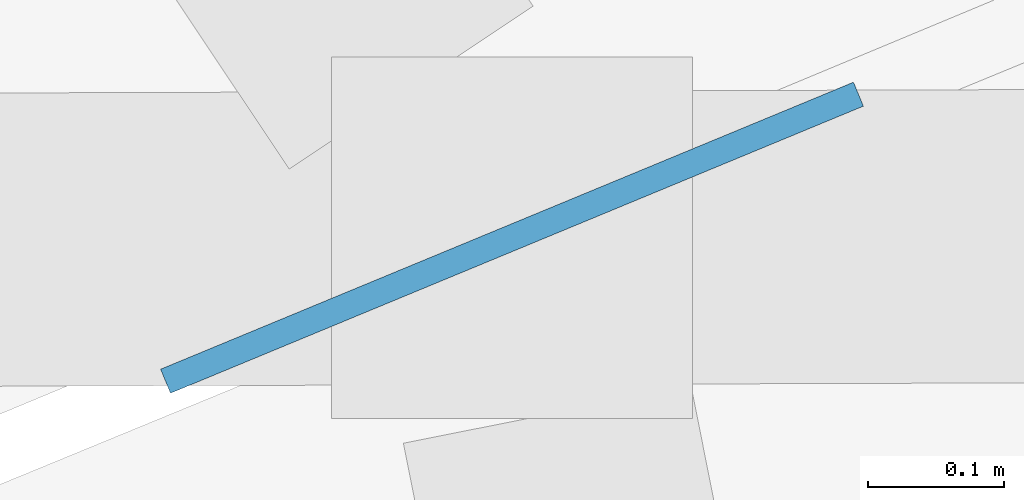
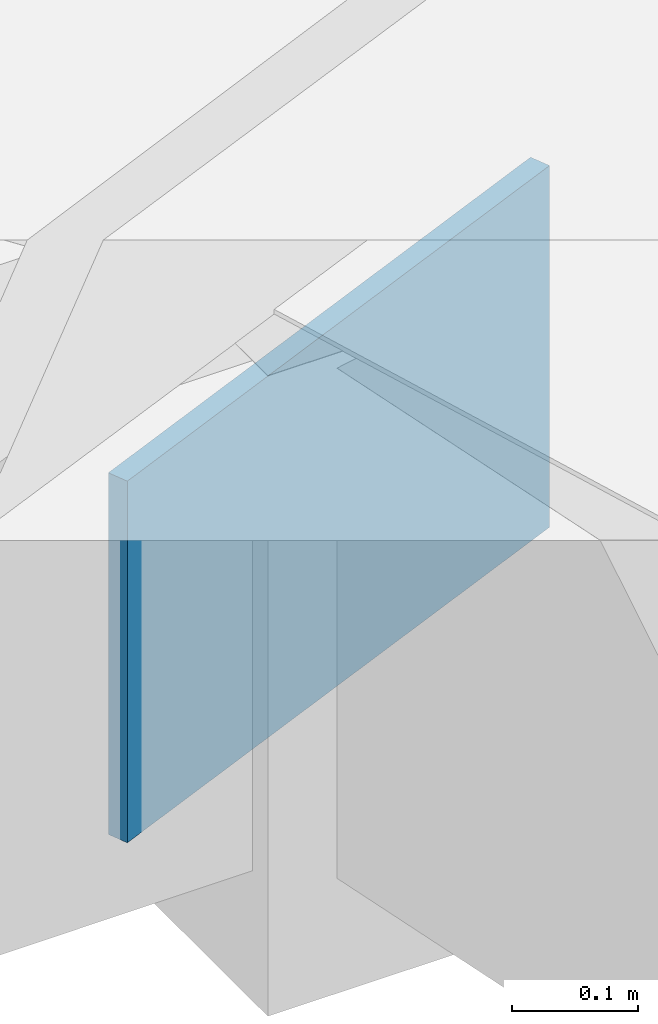
# One storey, part 15 of 30: 1 plate.
"""IFC4 building model written with IfcOpenShell, lengths in metres."""

from ifc_helpers import new_model, si_unit, direction, frame, origin, origin_2d, place, context, subcontext, project, spatial, rectangle, extrude, material, layer, layer_set, type_object, element, save


model = new_model("IFC4")

# Units and contexts
model_context = context("Model", 3, precision=1e-05, world=origin(), true_north=direction((0.0, 1.0)))
body_context = subcontext(model_context, "Body", "Model", "MODEL_VIEW")
ifc_project = project(units=[si_unit("LENGTHUNIT", "METRE"), si_unit("AREAUNIT", "SQUARE_METRE"), si_unit("VOLUMEUNIT", "CUBIC_METRE"), si_unit("PLANEANGLEUNIT", "RADIAN"), si_unit("MASSUNIT", "GRAM", prefix="KILO")], contexts=[model_context])

# Site, building, storey
site_placement = place(None, origin())
site = spatial("IfcSite", under=ifc_project, at=site_placement, CompositionType="ELEMENT")
building_placement = place(site_placement, origin())
building = spatial("IfcBuilding", under=site, at=building_placement, Name="Aldenvaro Health Centre", CompositionType="ELEMENT")
storey_placement = place(building_placement, frame((0.0, 0.0, 17.14990234375)))
storey = spatial("IfcBuildingStorey", under=building, at=storey_placement, Name="L04", CompositionType="ELEMENT", Elevation=17.14990234375)

# Plate
ifc_material = material(Name="Steel ASTM A572 Grade 50", Category="steel")
ifc_layer = layer(ifc_material, 0.01904296875, Name="Steel ASTM A572 Grade 50", Category="steel")
ifc_layer_set = layer_set([ifc_layer], Name="Steel ASTM A572 Grade 50")
plate_type = type_object("IfcPlateType", Name="PLT-GUS-08", PredefinedType="SHEET", material=ifc_layer_set)
plate_placement = place(storey_placement, frame((165.47607421875, 104.0458984375, 0.197998046875), z_axis=(0.0, 0.0, 1.0), x_axis=(0.9238916759, 0.382654114316, 0.0)))
element("IfcPlate", 1, at=plate_placement, inside=storey, type_object=plate_type, Name="D2 Rafter Eave Gusset 02", PredefinedType="SHEET", context=body_context, shape_type="SweptSolid", body=[
    extrude(rectangle(XDim=0.550048828125, YDim=0.01904296875, at=origin_2d()), origin(), (0.0, 0.0, 1.0), 0.35009765625),
])

save(model, "model.ifc")
